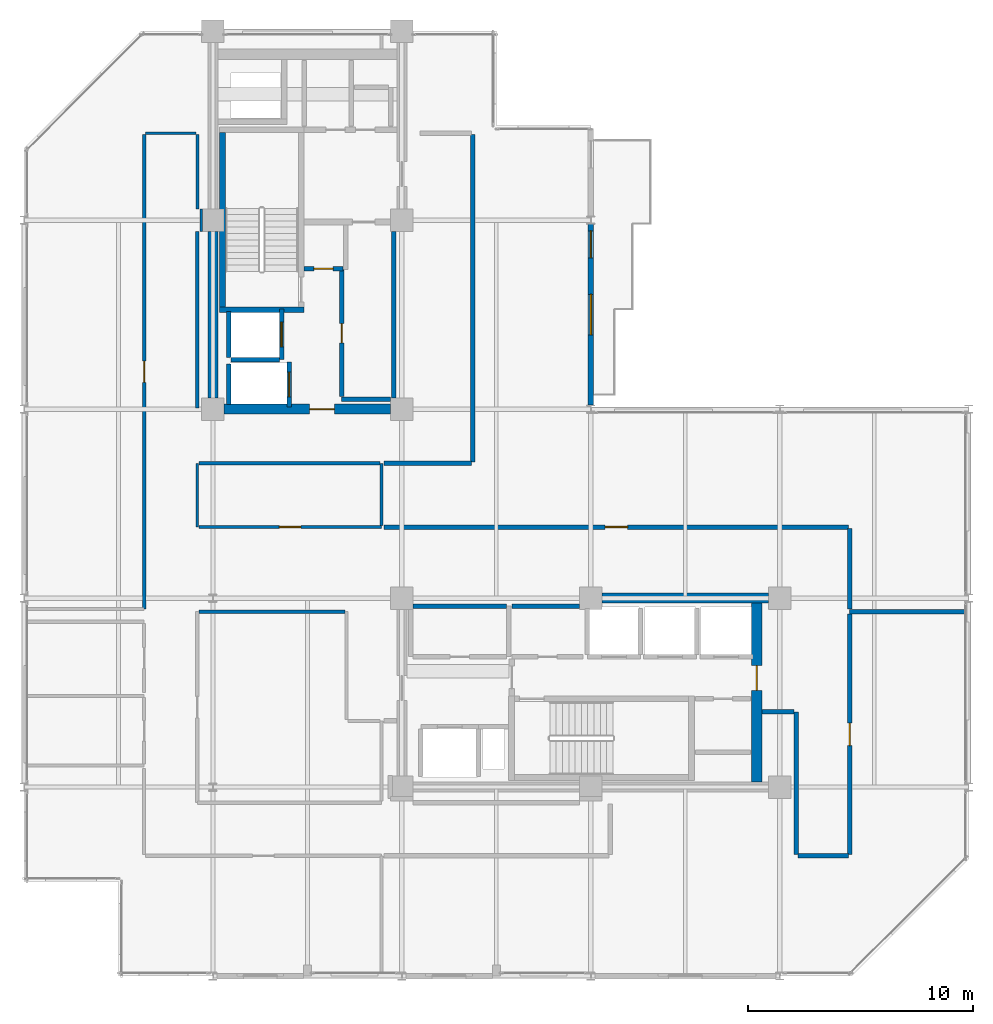
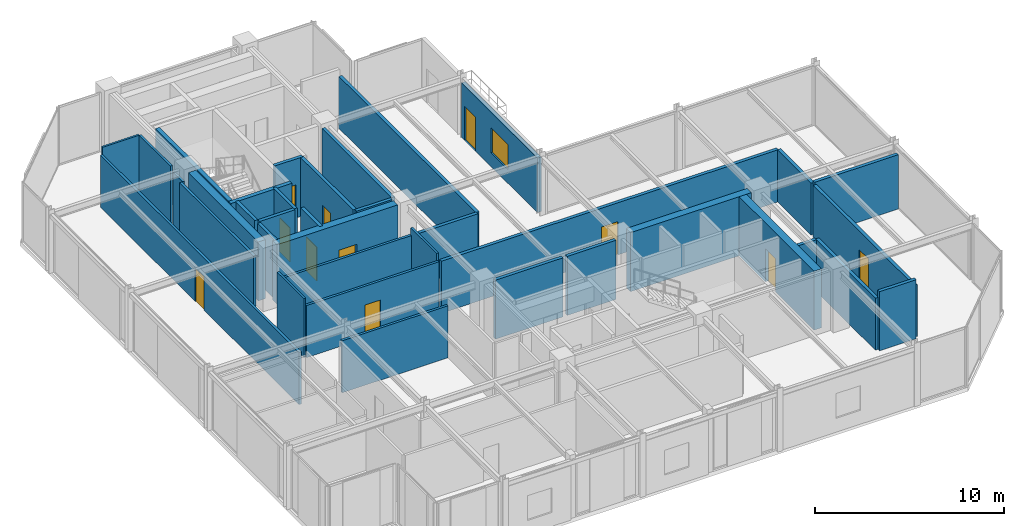
# One storey, part 21 of 25: 37 walls, 11 doors, 1 window, 12 openings.
"""IFC4 building model written with IfcOpenShell, lengths in metres."""

from ifc_helpers import new_model, si_unit, direction, frame, frame_2d, origin, place, context, subcontext, project, spatial, rectangle, extrude, material, layer, layer_set, type_object, element, fill, save


model = new_model("IFC4")

# Units and contexts
model_context = context("Model", 3, precision=1e-05, world=origin(), true_north=direction((0.0, 1.0)))
body_context = subcontext(model_context, "Body", "Model", "MODEL_VIEW")
ifc_project = project(units=[si_unit("LENGTHUNIT", "METRE"), si_unit("AREAUNIT", "SQUARE_METRE"), si_unit("VOLUMEUNIT", "CUBIC_METRE"), si_unit("PLANEANGLEUNIT", "RADIAN"), si_unit("MASSUNIT", "GRAM", prefix="KILO")], contexts=[model_context])

# Site, building, storey
site_placement = place(None, origin())
site = spatial("IfcSite", under=ifc_project, at=site_placement, CompositionType="ELEMENT")
building_placement = place(site_placement, origin())
building = spatial("IfcBuilding", under=site, at=building_placement, Name="Nerrivon Quay Data Exchange", CompositionType="ELEMENT")
storey_placement = place(building_placement, frame((0.0, 0.0, 232.89990234375)))
storey = spatial("IfcBuildingStorey", under=building, at=storey_placement, Name="L55", CompositionType="ELEMENT", Elevation=232.89990234375)

# Wall, openings, door, window
ifc_material_1 = material(Name="Architectural terracotta precast concrete N50 (50 MPa)", Category="masonry")
ifc_layer_1 = layer(ifc_material_1, 0.239990234375)
ifc_layer_set_1 = layer_set([ifc_layer_1], Name="Architectural terracotta precast concrete N50 (50 MPa)")
wall_type_1 = type_object("IfcWallType", Name="EW-PREC-240", PredefinedType="STANDARD", material=ifc_layer_set_1)
wall_1_placement = place(storey_placement, frame((25.199951171875, 33.425048828125, 0.0), z_axis=(0.0, 0.0, 1.0), x_axis=(0.0, -1.0, 0.0)))
wall_1 = element("IfcWall", 1, at=wall_1_placement, inside=storey, type_object=wall_type_1, Name="L55 Terrace Host Wall 23", PredefinedType="STANDARD", context=body_context, shape_type="SweptSolid", body=[
    extrude(rectangle(XDim=8.050048828125, YDim=0.239990234375, at=frame_2d((4.02490234375, 0.0))), origin(), (0.0, 0.0, 1.0), 3.525146484375),
])
opening_1_placement = place(wall_1_placement, frame((0.300048828125, 0.0, 0.0)))
opening_1 = element("IfcOpeningElement", 2, at=opening_1_placement, cuts=wall_1, Name="Opening TD1", PredefinedType="OPENING", context=body_context, shape_type="SweptSolid", body=[
    extrude(rectangle(XDim=1.199951171875, YDim=2.199951171875, at=frame_2d((0.60009765625, 1.10009765625))), frame((0.0, 0.1298828125, 0.0), z_axis=(0.0, -1.0, 0.0), x_axis=(1.0, 0.0, 0.0)), (0.0, 0.0, 1.0), 0.260009765625),
])
opening_2_placement = place(wall_1_placement, frame((3.125, 0.0, 0.89990234375)))
opening_2 = element("IfcOpeningElement", 3, at=opening_2_placement, cuts=wall_1, Name="Opening WN2", PredefinedType="OPENING", context=body_context, shape_type="SweptSolid", body=[
    extrude(rectangle(XDim=1.800048828125, YDim=1.60009765625, at=frame_2d((0.89990234375, 0.800048828125))), frame((0.0, 0.1298828125, 0.0), z_axis=(0.0, -1.0, 0.0), x_axis=(1.0, 0.0, 0.0)), (0.0, 0.0, 1.0), 0.260009765625),
])
ifc_material_2 = material(Name="Double-glazed low-E solar control glass", Category="glass")
door_type_1 = type_object("IfcDoorType", Name="DR-TERR-1200x2200", OperationType="NOTDEFINED", PredefinedType="DOOR", material=ifc_material_2)
door_1_placement = place(opening_1_placement, origin())
door_1 = element("IfcDoor", 4, at=door_1_placement, inside=storey, type_object=door_type_1, Name="L55 Outdoor Terrace Access Door 23", OperationType="SINGLE_SWING_RIGHT", OverallHeight=2.199951171875, OverallWidth=1.199951171875, PredefinedType="DOOR", context=body_context, shape_type="SweptSolid", body=[
    extrude(rectangle(XDim=1.199951171875, YDim=2.199951171875, at=frame_2d((0.60009765625, 1.10009765625))), frame((0.0, 0.02490234375, 0.0), z_axis=(0.0, -1.0, 0.0), x_axis=(1.0, 0.0, 0.0)), (0.0, 0.0, 1.0), 0.050048828125),
])
fill(opening_1, door_1)
window_type = type_object("IfcWindowType", Name="WIN-W2-1800x1600", PartitioningType="SINGLE_PANEL", PredefinedType="WINDOW", material=ifc_material_2)
window_placement = place(opening_2_placement, origin())
window = element("IfcWindow", 5, at=window_placement, inside=storey, type_object=window_type, Name="L55 Terrace Side Window 23", OverallHeight=1.60009765625, OverallWidth=1.800048828125, PartitioningType="SINGLE_PANEL", PredefinedType="WINDOW", context=body_context, shape_type="SweptSolid", body=[
    extrude(rectangle(XDim=1.800048828125, YDim=1.60009765625, at=frame_2d((0.89990234375, 0.800048828125))), frame((0.0, 0.030029296875, 0.0), z_axis=(0.0, -1.0, 0.0), x_axis=(1.0, 0.0, 0.0)), (0.0, 0.0, 1.0), 0.06005859375),
])
fill(opening_2, window)

# Wall
ifc_material_3 = material(Name="Concrete N50 (50 MPa)", Category="concrete")
ifc_layer_2 = layer(ifc_material_3, 0.449951171875)
ifc_layer_set_2 = layer_set([ifc_layer_2], Name="Concrete N50 (50 MPa)")
wall_type_2 = type_object("IfcWallType", Name="WALL-CW-550", PredefinedType="SHEAR", material=ifc_layer_set_2)
wall_2_placement = place(storey_placement, frame((8.39990234375, 25.699951171875, 0.0), z_axis=(0.0, 0.0, 1.0), x_axis=(0.0, 1.0, 0.0)))
element("IfcWall", 6, at=wall_2_placement, inside=storey, type_object=wall_type_2, Name="L55 West Split-Core Shear Wall WCW-W1", PredefinedType="SHEAR", context=body_context, shape_type="SweptSolid", body=[
    extrude(rectangle(XDim=7.400146484375, YDim=0.449951171875, at=frame_2d((3.7001953125, 0.0))), origin(), (0.0, 0.0, 1.0), 3.8251953125),
])

# Wall, opening, door
wall_3_placement = place(storey_placement, frame((8.89990234375, 25.199951171875, 0.0), z_axis=(0.0, 0.0, 1.0), x_axis=(1.0, 0.0, 0.0)))
wall_3 = element("IfcWall", 7, at=wall_3_placement, inside=storey, type_object=wall_type_2, Name="L55 West Split-Core Shear Wall WCW-S1", PredefinedType="SHEAR", context=body_context, shape_type="SweptSolid", body=[
    extrude(rectangle(XDim=7.400146484375, YDim=0.449951171875, at=frame_2d((3.7001953125, 0.0))), origin(), (0.0, 0.0, 1.0), 3.8251953125),
])
opening_3_placement = place(wall_3_placement, frame((3.800048828125, 0.0, 0.0)))
opening_3 = element("IfcOpeningElement", 8, at=opening_3_placement, cuts=wall_3, Name="Opening FD-120", PredefinedType="OPENING", context=body_context, shape_type="SweptSolid", body=[
    extrude(rectangle(XDim=1.10009765625, YDim=2.14990234375, at=frame_2d((0.550048828125, 1.074951171875))), frame((0.0, 0.23486328125, 0.0), z_axis=(0.0, -1.0, 0.0), x_axis=(1.0, 0.0, 0.0)), (0.0, 0.0, 1.0), 0.469970703125),
])
ifc_material_4 = material(Name="Powder-coated galvanized steel sheet", Category="steel")
door_type_2 = type_object("IfcDoorType", Name="DR-FD120-1100", OperationType="NOTDEFINED", PredefinedType="DOOR", material=ifc_material_4)
door_2_placement = place(opening_3_placement, origin())
door_2 = element("IfcDoor", 9, at=door_2_placement, inside=storey, type_object=door_type_2, Name="L55 West Core Lobby Fire Door", OperationType="SINGLE_SWING_RIGHT", OverallHeight=2.14990234375, OverallWidth=1.10009765625, PredefinedType="DOOR", context=body_context, shape_type="SweptSolid", body=[
    extrude(rectangle(XDim=1.10009765625, YDim=2.14990234375, at=frame_2d((0.550048828125, 1.074951171875))), frame((0.0, 0.02490234375, 0.0), z_axis=(0.0, -1.0, 0.0), x_axis=(1.0, 0.0, 0.0)), (0.0, 0.0, 1.0), 0.050048828125),
])
fill(opening_3, door_2)

wall_4_placement = place(storey_placement, frame((32.574951171875, 8.625, 0.0), z_axis=(0.0, 0.0, 1.0), x_axis=(0.0, 1.0, 0.0)))
wall_4 = element("IfcWall", 10, at=wall_4_placement, inside=storey, type_object=wall_type_2, Name="L55 East Split-Core Shear Wall ECW-E1", PredefinedType="SHEAR", context=body_context, shape_type="SweptSolid", body=[
    extrude(rectangle(XDim=7.949951171875, YDim=0.449951171875, at=frame_2d((3.97509765625, 0.0))), origin(), (0.0, 0.0, 1.0), 3.8251953125),
])
opening_4_placement = place(wall_4_placement, frame((4.074951171875, 0.0, 0.0)))
opening_4 = element("IfcOpeningElement", 11, at=opening_4_placement, cuts=wall_4, Name="Opening FD-120", PredefinedType="OPENING", context=body_context, shape_type="SweptSolid", body=[
    extrude(rectangle(XDim=1.10009765625, YDim=2.14990234375, at=frame_2d((0.550048828125, 1.074951171875))), frame((0.0, 0.23486328125, 0.0), z_axis=(0.0, -1.0, 0.0), x_axis=(1.0, 0.0, 0.0)), (0.0, 0.0, 1.0), 0.469970703125),
])
door_3_placement = place(opening_4_placement, origin())
door_3 = element("IfcDoor", 12, at=door_3_placement, inside=storey, type_object=door_type_2, Name="L55 East Core Lobby Fire Door", OperationType="SINGLE_SWING_LEFT", OverallHeight=2.14990234375, OverallWidth=1.10009765625, PredefinedType="DOOR", context=body_context, shape_type="SweptSolid", body=[
    extrude(rectangle(XDim=1.10009765625, YDim=2.14990234375, at=frame_2d((0.550048828125, 1.074951171875))), frame((0.0, 0.02490234375, 0.0), z_axis=(0.0, -1.0, 0.0), x_axis=(1.0, 0.0, 0.0)), (0.0, 0.0, 1.0), 0.050048828125),
])
fill(opening_4, door_3)

# Wall
wall_5_placement = place(storey_placement, frame((25.699951171875, 16.800048828125, 0.0), z_axis=(0.0, 0.0, 1.0), x_axis=(1.0, 0.0, 0.0)))
element("IfcWall", 13, at=wall_5_placement, inside=storey, type_object=wall_type_2, Name="L55 East Split-Core Shear Wall ECW-N1", PredefinedType="SHEAR", context=body_context, shape_type="SweptSolid", body=[
    extrude(rectangle(XDim=7.400146484375, YDim=0.449951171875, at=frame_2d((3.7001953125, 0.0))), origin(), (0.0, 0.0, 1.0), 3.8251953125),
])

# Wall, opening, door
ifc_material_5 = material(Name="Gypsum plasterboard on cold-formed framing", Category="gypsum")
ifc_layer_3 = layer(ifc_material_5, 0.199951171875)
ifc_layer_set_3 = layer_set([ifc_layer_3], Name="Gypsum plasterboard on cold-formed framing")
wall_type_3 = type_object("IfcWallType", Name="WALL-FW-200", PredefinedType="PARTITIONING", material=ifc_layer_set_3)
wall_6_placement = place(storey_placement, frame((11.449951171875, 27.39990234375, 0.0), z_axis=(0.0, 0.0, 1.0), x_axis=(0.0, 1.0, 0.0)))
wall_6 = element("IfcWall", 14, at=wall_6_placement, inside=storey, type_object=wall_type_3, Name="L55 Lift Front Wall FFL-1", PredefinedType="PARTITIONING", context=body_context, shape_type="SweptSolid", body=[
    extrude(rectangle(XDim=2.25, YDim=0.199951171875, at=frame_2d((1.125, 0.0))), origin(), (0.0, 0.0, 1.0), 3.8251953125),
])
opening_5_placement = place(wall_6_placement, frame((0.574951171875, 0.0, 0.0)))
opening_5 = element("IfcOpeningElement", 15, at=opening_5_placement, cuts=wall_6, Name="Opening LD-120", PredefinedType="OPENING", context=body_context, shape_type="SweptSolid", body=[
    extrude(rectangle(XDim=1.10009765625, YDim=2.199951171875, at=frame_2d((0.550048828125, 1.10009765625))), frame((0.0, 0.10986328125, 0.0), z_axis=(0.0, -1.0, 0.0), x_axis=(1.0, 0.0, 0.0)), (0.0, 0.0, 1.0), 0.219970703125),
])
door_type_3 = type_object("IfcDoorType", Name="DR-LIFT-LD120", OperationType="DOUBLE_DOOR_SLIDING", PredefinedType="DOOR", material=ifc_material_4)
door_4_placement = place(opening_5_placement, origin())
door_4 = element("IfcDoor", 16, at=door_4_placement, inside=storey, type_object=door_type_3, Name="L55 Lift Landing Sliding Door FFL-1", OperationType="DOUBLE_DOOR_SLIDING", OverallHeight=2.199951171875, OverallWidth=1.10009765625, PredefinedType="DOOR", context=body_context, shape_type="SweptSolid", body=[
    extrude(rectangle(XDim=1.10009765625, YDim=2.199951171875, at=frame_2d((0.550048828125, 1.10009765625))), frame((0.0, 0.02490234375, 0.0), z_axis=(0.0, -1.0, 0.0), x_axis=(1.0, 0.0, 0.0)), (0.0, 0.0, 1.0), 0.050048828125),
])
fill(opening_5, door_4)

# Walls
wall_7_placement = place(storey_placement, frame((9.10009765625, 27.5, 0.0), z_axis=(0.0, 0.0, 1.0), x_axis=(0.0, 1.0, 0.0)))
element("IfcWall", 17, at=wall_7_placement, inside=storey, type_object=wall_type_3, Name="L55 Lift Shaft Wall FFL-1 WEST", PredefinedType="PARTITIONING", context=body_context, shape_type="SweptSolid", body=[
    extrude(rectangle(XDim=2.050048828125, YDim=0.199951171875, at=frame_2d((1.02490234375, 0.0))), origin(), (0.0, 0.0, 1.0), 3.8251953125),
])
wall_8_placement = place(storey_placement, frame((9.199951171875, 27.39990234375, 0.0), z_axis=(0.0, 0.0, 1.0), x_axis=(1.0, 0.0, 0.0)))
element("IfcWall", 18, at=wall_8_placement, inside=storey, type_object=wall_type_3, Name="L55 Lift Shaft Wall FFL-1 SOUTH", PredefinedType="PARTITIONING", context=body_context, shape_type="SweptSolid", body=[
    extrude(rectangle(XDim=2.150146484375, YDim=0.199951171875, at=frame_2d((1.0751953125, 0.0))), origin(), (0.0, 0.0, 1.0), 3.8251953125),
])

# Wall, opening, door
wall_9_placement = place(storey_placement, frame((11.800048828125, 25.300048828125, 0.0), z_axis=(0.0, 0.0, 1.0), x_axis=(0.0, 1.0, 0.0)))
wall_9 = element("IfcWall", 19, at=wall_9_placement, inside=storey, type_object=wall_type_3, Name="L55 Lift Front Wall SVL-1", PredefinedType="PARTITIONING", context=body_context, shape_type="SweptSolid", body=[
    extrude(rectangle(XDim=2.0, YDim=0.199951171875, at=frame_2d((1.0, 0.0))), origin(), (0.0, 0.0, 1.0), 3.8251953125),
])
opening_6_placement = place(wall_9_placement, frame((0.449951171875, 0.0, 0.0)))
opening_6 = element("IfcOpeningElement", 20, at=opening_6_placement, cuts=wall_9, Name="Opening LD-120", PredefinedType="OPENING", context=body_context, shape_type="SweptSolid", body=[
    extrude(rectangle(XDim=1.10009765625, YDim=2.199951171875, at=frame_2d((0.550048828125, 1.10009765625))), frame((0.0, 0.10986328125, 0.0), z_axis=(0.0, -1.0, 0.0), x_axis=(1.0, 0.0, 0.0)), (0.0, 0.0, 1.0), 0.219970703125),
])
door_5_placement = place(opening_6_placement, origin())
door_5 = element("IfcDoor", 21, at=door_5_placement, inside=storey, type_object=door_type_3, Name="L55 Lift Landing Sliding Door SVL-1", OperationType="DOUBLE_DOOR_SLIDING", OverallHeight=2.199951171875, OverallWidth=1.10009765625, PredefinedType="DOOR", context=body_context, shape_type="SweptSolid", body=[
    extrude(rectangle(XDim=1.10009765625, YDim=2.199951171875, at=frame_2d((0.550048828125, 1.10009765625))), frame((0.0, 0.02490234375, 0.0), z_axis=(0.0, -1.0, 0.0), x_axis=(1.0, 0.0, 0.0)), (0.0, 0.0, 1.0), 0.050048828125),
])
fill(opening_6, door_5)

# Walls
wall_10_placement = place(storey_placement, frame((9.10009765625, 25.39990234375, 0.0), z_axis=(0.0, 0.0, 1.0), x_axis=(0.0, 1.0, 0.0)))
element("IfcWall", 22, at=wall_10_placement, inside=storey, type_object=wall_type_3, Name="L55 Lift Shaft Wall SVL-1 WEST", PredefinedType="PARTITIONING", context=body_context, shape_type="SweptSolid", body=[
    extrude(rectangle(XDim=1.800048828125, YDim=0.199951171875, at=frame_2d((0.89990234375, 0.0))), origin(), (0.0, 0.0, 1.0), 3.8251953125),
])
wall_11_placement = place(storey_placement, frame((14.1201171875, 25.64990234375, 0.0), z_axis=(0.0, 0.0, 1.0), x_axis=(1.0, 0.0, 0.0)))
element("IfcWall", 23, at=wall_11_placement, inside=storey, type_object=wall_type_3, Name="L55 Partition Core Equipment Store", PredefinedType="PARTITIONING", context=body_context, shape_type="SweptSolid", body=[
    extrude(rectangle(XDim=2.1748046875, YDim=0.199951171875, at=frame_2d((1.08740234375, 0.0))), origin(), (0.0, 0.0, 1.0), 3.8251953125),
])
wall_12_placement = place(storey_placement, frame((16.449951171875, 25.705078125, 0.0), z_axis=(0.0, 0.0, 1.0), x_axis=(0.0, 1.0, 0.0)))
element("IfcWall", 24, at=wall_12_placement, inside=storey, type_object=wall_type_3, Name="L55 Partition Core Equipment Store", PredefinedType="PARTITIONING", context=body_context, shape_type="SweptSolid", body=[
    extrude(rectangle(XDim=7.389892578125, YDim=0.199951171875, at=frame_2d((3.69482421875, 0.0))), origin(), (0.0, 0.0, 1.0), 3.8251953125),
])

# Wall, opening, door
wall_13_placement = place(storey_placement, frame((14.1201171875, 31.39990234375, 0.0), z_axis=(0.0, 0.0, 1.0), x_axis=(0.0, -1.0, 0.0)))
wall_13 = element("IfcWall", 25, at=wall_13_placement, inside=storey, type_object=wall_type_3, Name="L55 Partition Core Equipment Store", PredefinedType="PARTITIONING", context=body_context, shape_type="SweptSolid", body=[
    extrude(rectangle(XDim=5.64599609375, YDim=0.199951171875, at=frame_2d((2.822998046875, 0.0))), origin(), (0.0, 0.0, 1.0), 3.8251953125),
])
opening_7_placement = place(wall_13_placement, frame((2.39794921875, 0.0, 0.0)))
opening_7 = element("IfcOpeningElement", 26, at=opening_7_placement, cuts=wall_13, Name="Opening FD-60S", PredefinedType="OPENING", context=body_context, shape_type="SweptSolid", body=[
    extrude(rectangle(XDim=0.85009765625, YDim=2.14990234375, at=frame_2d((0.425048828125, 1.074951171875))), frame((0.0, 0.10986328125, 0.0), z_axis=(0.0, -1.0, 0.0), x_axis=(1.0, 0.0, 0.0)), (0.0, 0.0, 1.0), 0.219970703125),
])
ifc_material_6 = material(Name="Engineered hardwood timber", Category="wood")
door_type_4 = type_object("IfcDoorType", Name="DR-FD60-850", OperationType="NOTDEFINED", PredefinedType="DOOR", material=ifc_material_6)
door_6_placement = place(opening_7_placement, origin())
door_6 = element("IfcDoor", 27, at=door_6_placement, inside=storey, type_object=door_type_4, Name="L55 Door Core Equipment Store", OperationType="SINGLE_SWING_LEFT", OverallHeight=2.14990234375, OverallWidth=0.85009765625, PredefinedType="DOOR", context=body_context, shape_type="SweptSolid", body=[
    extrude(rectangle(XDim=0.85009765625, YDim=2.14990234375, at=frame_2d((0.425048828125, 1.074951171875))), frame((0.0, 0.02490234375, 0.0), z_axis=(0.0, -1.0, 0.0), x_axis=(1.0, 0.0, 0.0)), (0.0, 0.0, 1.0), 0.050048828125),
])
fill(opening_7, door_6)

wall_14_placement = place(storey_placement, frame((12.4541015625, 31.43994140625, 0.0), z_axis=(0.0, 0.0, 1.0), x_axis=(1.0, 0.0, 0.0)))
wall_14 = element("IfcWall", 28, at=wall_14_placement, inside=storey, type_object=wall_type_3, Name="L55 Partition Optical Patch Closet", PredefinedType="PARTITIONING", context=body_context, shape_type="SweptSolid", body=[
    extrude(rectangle(XDim=1.725830078125, YDim=0.199951171875, at=frame_2d((0.86279296875, 0.0))), origin(), (0.0, 0.0, 1.0), 3.8251953125),
])
opening_8_placement = place(wall_14_placement, frame((0.43798828125, 0.0, 0.0)))
opening_8 = element("IfcOpeningElement", 29, at=opening_8_placement, cuts=wall_14, Name="Opening FD-60S", PredefinedType="OPENING", context=body_context, shape_type="SweptSolid", body=[
    extrude(rectangle(XDim=0.85009765625, YDim=2.14990234375, at=frame_2d((0.425048828125, 1.074951171875))), frame((0.0, 0.10986328125, 0.0), z_axis=(0.0, -1.0, 0.0), x_axis=(1.0, 0.0, 0.0)), (0.0, 0.0, 1.0), 0.219970703125),
])
door_7_placement = place(opening_8_placement, origin())
door_7 = element("IfcDoor", 30, at=door_7_placement, inside=storey, type_object=door_type_4, Name="L55 Door Optical Patch Closet", OperationType="SINGLE_SWING_RIGHT", OverallHeight=2.14990234375, OverallWidth=0.85009765625, PredefinedType="DOOR", context=body_context, shape_type="SweptSolid", body=[
    extrude(rectangle(XDim=0.85009765625, YDim=2.14990234375, at=frame_2d((0.425048828125, 1.074951171875))), frame((0.0, 0.02490234375, 0.0), z_axis=(0.0, -1.0, 0.0), x_axis=(1.0, 0.0, 0.0)), (0.0, 0.0, 1.0), 0.050048828125),
])
fill(opening_8, door_7)

# Walls
wall_15_placement = place(storey_placement, frame((21.446044921875, 16.449951171875, 0.0), z_axis=(0.0, 0.0, 1.0), x_axis=(-1.0, 0.0, 0.0)))
element("IfcWall", 31, at=wall_15_placement, inside=storey, type_object=wall_type_3, Name="L55 Partition High-Zone Calibration Store", PredefinedType="PARTITIONING", context=body_context, shape_type="SweptSolid", body=[
    extrude(rectangle(XDim=4.14111328125, YDim=0.199951171875, at=frame_2d((2.070556640625, 0.0))), origin(), (0.0, 0.0, 1.0), 3.8251953125),
])
wall_16_placement = place(storey_placement, frame((24.695068359375, 16.449951171875, 0.0), z_axis=(0.0, 0.0, 1.0), x_axis=(-1.0, 0.0, 0.0)))
element("IfcWall", 32, at=wall_16_placement, inside=storey, type_object=wall_type_3, Name="L55 Partition High-Zone Network Closet", PredefinedType="PARTITIONING", context=body_context, shape_type="SweptSolid", body=[
    extrude(rectangle(XDim=2.9951171875, YDim=0.199951171875, at=frame_2d((1.49755859375, 0.0))), origin(), (0.0, 0.0, 1.0), 3.8251953125),
])
wall_17_placement = place(storey_placement, frame((41.8310546875, 16.20068359375, 0.0), z_axis=(0.0, 0.0, 1.0), x_axis=(-1.0, 0.0, 0.0)))
element("IfcWall", 33, at=wall_17_placement, inside=storey, type_object=wall_type_3, Name="L55 Partition Colocation Data Workspace 1", PredefinedType="PARTITIONING", context=body_context, shape_type="SweptSolid", body=[
    extrude(rectangle(XDim=5.12109375, YDim=0.199951171875, at=frame_2d((2.560546875, 0.0))), origin(), (0.0, 0.0, 1.0), 3.51806640625),
])

# Wall, opening, door
wall_18_placement = place(storey_placement, frame((36.7099609375, 16.0966796875, 0.0), z_axis=(0.0, 0.0, 1.0), x_axis=(0.0, -1.0, 0.0)))
wall_18 = element("IfcWall", 34, at=wall_18_placement, inside=storey, type_object=wall_type_3, Name="L55 Partition Colocation Data Workspace 1", PredefinedType="PARTITIONING", context=body_context, shape_type="SweptSolid", body=[
    extrude(rectangle(XDim=10.69677734375, YDim=0.199951171875, at=frame_2d((5.348388671875, 0.0))), origin(), (0.0, 0.0, 1.0), 3.364990234375),
])
opening_9_placement = place(wall_18_placement, frame((4.848388671875, 0.0, 0.0)))
opening_9 = element("IfcOpeningElement", 35, at=opening_9_placement, cuts=wall_18, Name="Opening FD-60", PredefinedType="OPENING", context=body_context, shape_type="SweptSolid", body=[
    extrude(rectangle(XDim=1.0, YDim=2.14990234375, at=frame_2d((0.5, 1.074951171875))), frame((0.0, 0.10986328125, 0.0), z_axis=(0.0, -1.0, 0.0), x_axis=(1.0, 0.0, 0.0)), (0.0, 0.0, 1.0), 0.219970703125),
])
door_type_5 = type_object("IfcDoorType", Name="DR-FD60-1000", OperationType="NOTDEFINED", PredefinedType="DOOR", material=ifc_material_6)
door_8_placement = place(opening_9_placement, origin())
door_8 = element("IfcDoor", 36, at=door_8_placement, inside=storey, type_object=door_type_5, Name="L55 Door Colocation Data Workspace 1", OperationType="SINGLE_SWING_RIGHT", OverallHeight=2.14990234375, OverallWidth=1.0, PredefinedType="DOOR", context=body_context, shape_type="SweptSolid", body=[
    extrude(rectangle(XDim=1.0, YDim=2.14990234375, at=frame_2d((0.5, 1.074951171875))), frame((0.0, 0.02490234375, 0.0), z_axis=(0.0, -1.0, 0.0), x_axis=(1.0, 0.0, 0.0)), (0.0, 0.0, 1.0), 0.050048828125),
])
fill(opening_9, door_8)

# Walls
wall_19_placement = place(storey_placement, frame((36.64990234375, 5.340087890625, 0.0), z_axis=(0.0, 0.0, 1.0), x_axis=(-1.0, 0.0, 0.0)))
element("IfcWall", 37, at=wall_19_placement, inside=storey, type_object=wall_type_3, Name="L55 Partition Colocation Data Workspace 1", PredefinedType="PARTITIONING", context=body_context, shape_type="SweptSolid", body=[
    extrude(rectangle(XDim=2.25, YDim=0.199951171875, at=frame_2d((1.125, 0.0))), origin(), (0.0, 0.0, 1.0), 3.8251953125),
])
wall_20_placement = place(storey_placement, frame((34.340087890625, 5.39990234375, 0.0), z_axis=(0.0, 0.0, 1.0), x_axis=(0.0, 1.0, 0.0)))
element("IfcWall", 38, at=wall_20_placement, inside=storey, type_object=wall_type_3, Name="L55 Partition Colocation Data Workspace 1", PredefinedType="PARTITIONING", context=body_context, shape_type="SweptSolid", body=[
    extrude(rectangle(XDim=6.340087890625, YDim=0.199951171875, at=frame_2d((3.169921875, 0.0))), origin(), (0.0, 0.0, 1.0), 3.364990234375),
])
wall_21_placement = place(storey_placement, frame((34.236083984375, 11.739990234375, 0.0), z_axis=(0.0, 0.0, 1.0), x_axis=(-1.0, 0.0, 0.0)))
element("IfcWall", 39, at=wall_21_placement, inside=storey, type_object=wall_type_3, Name="L55 Partition Colocation Data Workspace 1", PredefinedType="PARTITIONING", context=body_context, shape_type="SweptSolid", body=[
    extrude(rectangle(XDim=1.43212890625, YDim=0.199951171875, at=frame_2d((0.716064453125, 0.0))), origin(), (0.0, 0.0, 1.0), 3.37109375),
])
wall_22_placement = place(storey_placement, frame((36.7099609375, 19.89990234375, 0.0), z_axis=(0.0, 0.0, 1.0), x_axis=(0.0, -1.0, 0.0)))
element("IfcWall", 40, at=wall_22_placement, inside=storey, type_object=wall_type_3, Name="L55 Partition Colocation Data Workspace 6", PredefinedType="PARTITIONING", context=body_context, shape_type="SweptSolid", body=[
    extrude(rectangle(XDim=3.5791015625, YDim=0.199951171875, at=frame_2d((1.78955078125, 0.0))), origin(), (0.0, 0.0, 1.0), 3.364990234375),
])
wall_23_placement = place(storey_placement, frame((19.9599609375, 37.39990234375, 0.0), z_axis=(0.0, 0.0, 1.0), x_axis=(0.0, -1.0, 0.0)))
element("IfcWall", 41, at=wall_23_placement, inside=storey, type_object=wall_type_3, Name="L55 Partition Colocation Data Workspace 6", PredefinedType="PARTITIONING", context=body_context, shape_type="SweptSolid", body=[
    extrude(rectangle(XDim=14.5498046875, YDim=0.199951171875, at=frame_2d((7.27490234375, 0.0))), origin(), (0.0, 0.0, 1.0), 3.364990234375),
])
wall_24_placement = place(storey_placement, frame((19.89990234375, 22.7900390625, 0.0), z_axis=(0.0, 0.0, 1.0), x_axis=(-1.0, 0.0, 0.0)))
element("IfcWall", 42, at=wall_24_placement, inside=storey, type_object=wall_type_3, Name="L55 Partition Colocation Data Workspace 6", PredefinedType="PARTITIONING", context=body_context, shape_type="SweptSolid", body=[
    extrude(rectangle(XDim=3.88525390625, YDim=0.199951171875, at=frame_2d((1.942626953125, 0.0))), origin(), (0.0, 0.0, 1.0), 3.37109375),
])

# Wall, opening, door
wall_25_placement = place(storey_placement, frame((16.0146484375, 19.9599609375, 0.0), z_axis=(0.0, 0.0, 1.0), x_axis=(1.0, 0.0, 0.0)))
wall_25 = element("IfcWall", 43, at=wall_25_placement, inside=storey, type_object=wall_type_3, Name="L55 Partition Colocation Data Workspace 6", PredefinedType="PARTITIONING", context=body_context, shape_type="SweptSolid", body=[
    extrude(rectangle(XDim=20.63525390625, YDim=0.199951171875, at=frame_2d((10.317626953125, 0.0))), origin(), (0.0, 0.0, 1.0), 3.37109375),
])
opening_10_placement = place(wall_25_placement, frame((9.817626953125, 0.0, 0.0)))
opening_10 = element("IfcOpeningElement", 44, at=opening_10_placement, cuts=wall_25, Name="Opening FD-60", PredefinedType="OPENING", context=body_context, shape_type="SweptSolid", body=[
    extrude(rectangle(XDim=1.0, YDim=2.14990234375, at=frame_2d((0.5, 1.074951171875))), frame((0.0, 0.10986328125, 0.0), z_axis=(0.0, -1.0, 0.0), x_axis=(1.0, 0.0, 0.0)), (0.0, 0.0, 1.0), 0.219970703125),
])
door_9_placement = place(opening_10_placement, origin())
door_9 = element("IfcDoor", 45, at=door_9_placement, inside=storey, type_object=door_type_5, Name="L55 Door Colocation Data Workspace 6", OperationType="SINGLE_SWING_LEFT", OverallHeight=2.14990234375, OverallWidth=1.0, PredefinedType="DOOR", context=body_context, shape_type="SweptSolid", body=[
    extrude(rectangle(XDim=1.0, YDim=2.14990234375, at=frame_2d((0.5, 1.074951171875))), frame((0.0, 0.02490234375, 0.0), z_axis=(0.0, -1.0, 0.0), x_axis=(1.0, 0.0, 0.0)), (0.0, 0.0, 1.0), 0.050048828125),
])
fill(opening_10, door_9)

# Walls
ifc_layer_4 = layer(ifc_material_5, 0.1201171875)
ifc_layer_set_4 = layer_set([ifc_layer_4], Name="Gypsum plasterboard on cold-formed framing")
wall_type_4 = type_object("IfcWallType", Name="WALL-PT-120", PredefinedType="PARTITIONING", material=ifc_layer_set_4)
wall_26_placement = place(storey_placement, frame((7.7099609375, 22.7900390625, 0.0), z_axis=(0.0, 0.0, 1.0), x_axis=(0.0, -1.0, 0.0)))
element("IfcWall", 46, at=wall_26_placement, inside=storey, type_object=wall_type_4, Name="L55 Partition Staff Pantry", PredefinedType="PARTITIONING", context=body_context, shape_type="SweptSolid", body=[
    extrude(rectangle(XDim=2.830078125, YDim=0.1201171875, at=frame_2d((1.4150390625, 0.0))), origin(), (0.0, 0.0, 1.0), 3.8251953125),
])
wall_27_placement = place(storey_placement, frame((15.89453125, 20.0390625, 0.0), z_axis=(0.0, 0.0, 1.0), x_axis=(0.0, 1.0, 0.0)))
element("IfcWall", 47, at=wall_27_placement, inside=storey, type_object=wall_type_4, Name="L55 Partition Staff Pantry", PredefinedType="PARTITIONING", context=body_context, shape_type="SweptSolid", body=[
    extrude(rectangle(XDim=2.7509765625, YDim=0.1201171875, at=frame_2d((1.37548828125, 0.0))), origin(), (0.0, 0.0, 1.0), 3.8251953125),
])
wall_28_placement = place(storey_placement, frame((7.880859375, 33.09423828125, 0.0), z_axis=(0.0, 0.0, 1.0), x_axis=(-0.000970873329, 0.999999528702, 0.0)))
element("IfcWall", 48, at=wall_28_placement, inside=storey, type_object=wall_type_4, Name="L55 Partition Technical Library", PredefinedType="PARTITIONING", context=body_context, shape_type="SweptSolid", body=[
    extrude(rectangle(XDim=1.005859375, YDim=0.1201171875, at=frame_2d((0.5029296875, 0.0))), origin(), (0.0, 0.0, 1.0), 3.364990234375),
])
wall_29_placement = place(storey_placement, frame((5.39990234375, 37.4599609375, 0.0), z_axis=(0.0, 0.0, 1.0), x_axis=(1.0, 0.0, 0.0)))
element("IfcWall", 49, at=wall_29_placement, inside=storey, type_object=wall_type_4, Name="L55 Partition Technical Library", PredefinedType="PARTITIONING", context=body_context, shape_type="SweptSolid", body=[
    extrude(rectangle(XDim=2.25, YDim=0.1201171875, at=frame_2d((1.125, 0.0))), origin(), (0.0, 0.0, 1.0), 3.8251953125),
])
ifc_layer_5 = layer(ifc_material_5, 0.135009765625)
ifc_layer_set_5 = layer_set([ifc_layer_5], Name="Gypsum plasterboard on cold-formed framing")
wall_type_5 = type_object("IfcWallType", Name="WALL-PT-135", PredefinedType="PARTITIONING", material=ifc_layer_set_5)
wall_30_placement = place(storey_placement, frame((7.7099609375, 37.39990234375, 0.0), z_axis=(0.0, 0.0, 1.0), x_axis=(0.0, -1.0, 0.0)))
element("IfcWall", 50, at=wall_30_placement, inside=storey, type_object=wall_type_5, Name="L55 Partition Technical Library", PredefinedType="PARTITIONING", context=body_context, shape_type="SweptSolid", body=[
    extrude(rectangle(XDim=3.300048828125, YDim=0.135009765625, at=frame_2d((1.64990234375, 0.0))), origin(), (0.0, 0.0, 1.0), 3.8251953125),
])

# Wall, opening, door
ifc_layer_6 = layer(ifc_material_5, 0.14990234375)
ifc_layer_set_6 = layer_set([ifc_layer_6], Name="Gypsum plasterboard on cold-formed framing")
wall_type_6 = type_object("IfcWallType", Name="WALL-PT-150", PredefinedType="PARTITIONING", material=ifc_layer_set_6)
wall_31_placement = place(storey_placement, frame((7.77392578125, 19.9599609375, 0.0), z_axis=(0.0, 0.0, 1.0), x_axis=(1.0, 0.0, 0.0)))
wall_31 = element("IfcWall", 51, at=wall_31_placement, inside=storey, type_object=wall_type_6, Name="L55 Partition Staff Pantry", PredefinedType="PARTITIONING", context=body_context, shape_type="SweptSolid", body=[
    extrude(rectangle(XDim=8.12060546875, YDim=0.14990234375, at=frame_2d((4.060302734375, 0.0))), origin(), (0.0, 0.0, 1.0), 3.37109375),
])
opening_11_placement = place(wall_31_placement, frame((3.585205078125, 0.0, 0.0)))
opening_11 = element("IfcOpeningElement", 52, at=opening_11_placement, cuts=wall_31, Name="Opening D-01", PredefinedType="OPENING", context=body_context, shape_type="SweptSolid", body=[
    extrude(rectangle(XDim=0.949951171875, YDim=2.14990234375, at=frame_2d((0.47509765625, 1.074951171875))), frame((0.0, 0.0849609375, 0.0), z_axis=(0.0, -1.0, 0.0), x_axis=(1.0, 0.0, 0.0)), (0.0, 0.0, 1.0), 0.169921875),
])
door_type_6 = type_object("IfcDoorType", Name="DR-INT-950", OperationType="NOTDEFINED", PredefinedType="DOOR", material=ifc_material_6)
door_10_placement = place(opening_11_placement, origin())
door_10 = element("IfcDoor", 53, at=door_10_placement, inside=storey, type_object=door_type_6, Name="L55 Door Staff Pantry", OperationType="SINGLE_SWING_RIGHT", OverallHeight=2.14990234375, OverallWidth=0.949951171875, PredefinedType="DOOR", context=body_context, shape_type="SweptSolid", body=[
    extrude(rectangle(XDim=0.949951171875, YDim=2.14990234375, at=frame_2d((0.47509765625, 1.074951171875))), frame((0.0, 0.02490234375, 0.0), z_axis=(0.0, -1.0, 0.0), x_axis=(1.0, 0.0, 0.0)), (0.0, 0.0, 1.0), 0.050048828125),
])
fill(opening_11, door_10)

# Walls
wall_32_placement = place(storey_placement, frame((15.83056640625, 22.7900390625, 0.0), z_axis=(0.0, 0.0, 1.0), x_axis=(-1.0, 0.0, 0.0)))
element("IfcWall", 54, at=wall_32_placement, inside=storey, type_object=wall_type_6, Name="L55 Partition Staff Pantry", PredefinedType="PARTITIONING", context=body_context, shape_type="SweptSolid", body=[
    extrude(rectangle(XDim=8.056640625, YDim=0.14990234375, at=frame_2d((4.0283203125, 0.0))), origin(), (0.0, 0.0, 1.0), 3.37109375),
])
wall_33_placement = place(storey_placement, frame((14.2685546875, 16.20068359375, 0.0), z_axis=(0.0, 0.0, 1.0), x_axis=(-1.0, 0.0, 0.0)))
element("IfcWall", 55, at=wall_33_placement, inside=storey, type_object=wall_type_6, Name="L55 Partition Engineers Lounge", PredefinedType="PARTITIONING", context=body_context, shape_type="SweptSolid", body=[
    extrude(rectangle(XDim=6.4794921875, YDim=0.14990234375, at=frame_2d((3.23974609375, 0.0))), origin(), (0.0, 0.0, 1.0), 3.37109375),
])

# Wall, opening, door
wall_34_placement = place(storey_placement, frame((5.340087890625, 16.32080078125, 0.0), z_axis=(0.0, 0.0, 1.0), x_axis=(1.1578765e-05, 0.999999999933, 0.0)))
wall_34 = element("IfcWall", 56, at=wall_34_placement, inside=storey, type_object=wall_type_6, Name="L55 Partition Technical Library", PredefinedType="PARTITIONING", context=body_context, shape_type="SweptSolid", body=[
    extrude(rectangle(XDim=21.085205078125, YDim=0.14990234375, at=frame_2d((10.54248046875, 0.0))), origin(), (0.0, 0.0, 1.0), 3.364990234375),
])
opening_12_placement = place(wall_34_placement, frame((10.067626953125, 0.0, 0.0)))
opening_12 = element("IfcOpeningElement", 57, at=opening_12_placement, cuts=wall_34, Name="Opening D-01", PredefinedType="OPENING", context=body_context, shape_type="SweptSolid", body=[
    extrude(rectangle(XDim=0.949951171875, YDim=2.14990234375, at=frame_2d((0.47509765625, 1.074951171875))), frame((0.0, 0.0849609375, 0.0), z_axis=(0.0, -1.0, 0.0), x_axis=(1.0, 0.0, 0.0)), (0.0, 0.0, 1.0), 0.169921875),
])
door_11_placement = place(opening_12_placement, origin())
door_11 = element("IfcDoor", 58, at=door_11_placement, inside=storey, type_object=door_type_6, Name="L55 Door Technical Library", OperationType="SINGLE_SWING_LEFT", OverallHeight=2.14990234375, OverallWidth=0.949951171875, PredefinedType="DOOR", context=body_context, shape_type="SweptSolid", body=[
    extrude(rectangle(XDim=0.949951171875, YDim=2.14990234375, at=frame_2d((0.47509765625, 1.074951171875))), frame((0.0, 0.02490234375, 0.0), z_axis=(0.0, -1.0, 0.0), x_axis=(1.0, 0.0, 0.0)), (0.0, 0.0, 1.0), 0.050048828125),
])
fill(opening_12, door_11)

# Walls
wall_35_placement = place(storey_placement, frame((7.7099609375, 33.093994140625, 0.0), z_axis=(0.0, 0.0, 1.0), x_axis=(0.0, -1.0, 0.0)))
element("IfcWall", 59, at=wall_35_placement, inside=storey, type_object=wall_type_6, Name="L55 Partition Technical Library", PredefinedType="PARTITIONING", context=body_context, shape_type="SweptSolid", body=[
    extrude(rectangle(XDim=7.833984375, YDim=0.14990234375, at=frame_2d((3.9169921875, 0.0))), origin(), (0.0, 0.0, 1.0), 3.364990234375),
])
ifc_layer_7 = layer(ifc_material_3, 0.25)
ifc_layer_set_7 = layer_set([ifc_layer_7], Name="Concrete N50 (50 MPa)")
wall_type_7 = type_object("IfcWallType", Name="WALL-SW-250", PredefinedType="SHEAR", material=ifc_layer_set_7)
wall_36_placement = place(storey_placement, frame((12.449951171875, 29.625, 0.0), z_axis=(0.0, 0.0, 1.0), x_axis=(-1.0, 0.0, 0.0)))
element("IfcWall", 60, at=wall_36_placement, inside=storey, type_object=wall_type_7, Name="L55 ST01 Structural Stair Core Wall NEAR", PredefinedType="SHEAR", context=body_context, shape_type="SweptSolid", body=[
    extrude(rectangle(XDim=3.75, YDim=0.25, at=frame_2d((1.875, 0.0))), origin(), (0.0, 0.0, 1.0), 3.8251953125),
])
wall_37_placement = place(storey_placement, frame((8.824951171875, 29.75, 0.0), z_axis=(0.0, 0.0, 1.0), x_axis=(0.0, 1.0, 0.0)))
element("IfcWall", 61, at=wall_37_placement, inside=storey, type_object=wall_type_7, Name="L55 ST01 Structural Stair Core Wall RIGHT", PredefinedType="SHEAR", context=body_context, shape_type="SweptSolid", body=[
    extrude(rectangle(XDim=7.75, YDim=0.25, at=frame_2d((3.875, 0.0))), origin(), (0.0, 0.0, 1.0), 3.8251953125),
])

save(model, "model.ifc")
